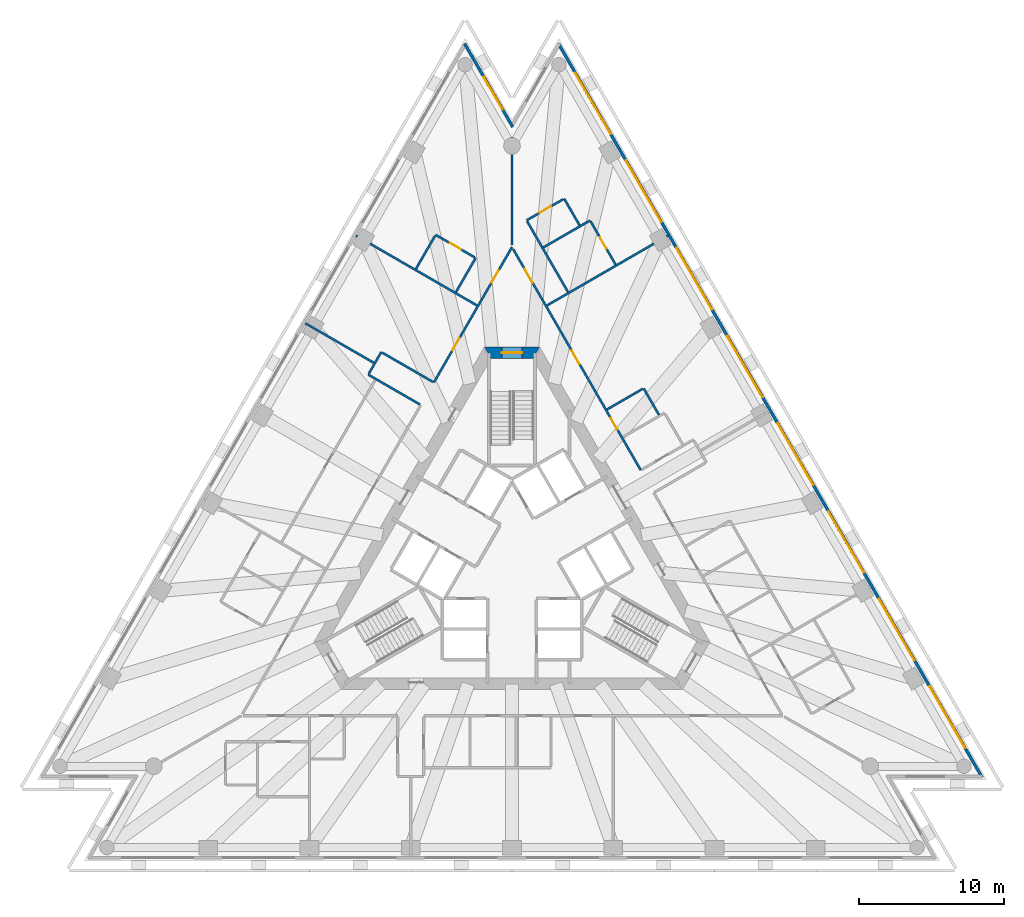
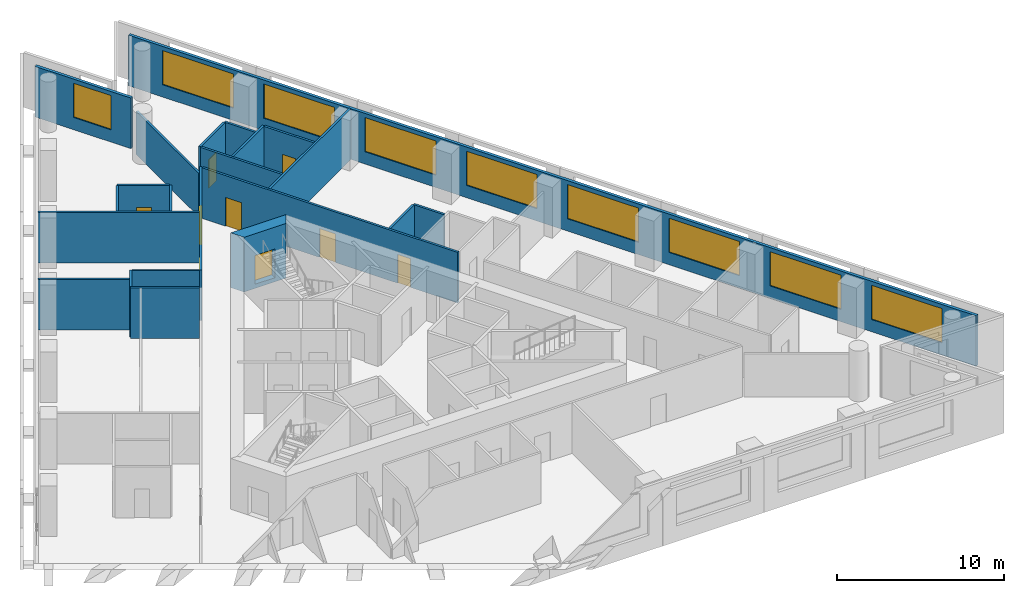
# One storey, part 7 of 10: 22 walls, 9 doors, 9 windows, 18 openings.
"""IFC4 building model written with IfcOpenShell, lengths in metres."""

import ifcopenshell
import ifcopenshell.guid

model = None  # the IFC model being written
_history = None  # IfcOwnerHistory: only IFC2X3 demands one
_inside = {}  # id of a spatial element -> (the spatial element, [elements in it])
_under = {}  # id of a project, library or spatial element -> (it, [spatial elements below it])
_declared = {}  # id of a project -> (the project, [libraries it declares])
_typed = {}  # id of a type object -> (the type object, [elements of that type])
_made_of = {}  # id of a material, layer set ... -> (it, [elements and type objects made of it])


def new_model(schema):
    """Start an empty IFC model of exactly this schema.

    Asked for "IFC4X3", IfcOpenShell would pick the latest addendum, in which some entities
    have other attributes; the version numbers below select the first issue.
    IFC2X3 requires an IfcOwnerHistory on every rooted entity: one is made here for all.
    """
    global model, _history
    if schema == "IFC4X3":
        model = ifcopenshell.file(schema_version=(4, 3, 0, 0))
    else:
        model = ifcopenshell.file(schema=schema)
    _inside.clear()
    _under.clear()
    _declared.clear()
    _typed.clear()
    _made_of.clear()
    _history = None
    if model.schema == "IFC2X3":
        org = make("IfcOrganization", Name="unknown")
        user = make(
            "IfcPersonAndOrganization",
            ThePerson=make("IfcPerson", FamilyName="unknown"),
            TheOrganization=org,
        )
        app = make(
            "IfcApplication",
            ApplicationDeveloper=org,
            Version="unknown",
            ApplicationFullName="unknown",
            ApplicationIdentifier="unknown",
        )
        _history = make(
            "IfcOwnerHistory",
            OwningUser=user,
            OwningApplication=app,
            ChangeAction="ADDED",
            CreationDate=0,
        )
    return model


def make(cls, **values):
    """One entity of the class cls with the attributes given. An attribute that is None is left unset."""
    return model.create_entity(
        cls, **{name: value for name, value in values.items() if value is not None}
    )


def rooted(cls, **values):
    """An entity with a GlobalId (a new one), such as an element, a storey or a relation."""
    return make(cls, GlobalId=ifcopenshell.guid.new(), OwnerHistory=_history, **values)


def si_unit(unit_type, name, prefix=None):
    """IfcSIUnit, for example si_unit("LENGTHUNIT", "METRE", prefix="MILLI")."""
    return make("IfcSIUnit", UnitType=unit_type, Prefix=prefix, Name=name)


def assignment(units):
    """IfcUnitAssignment: the units of a project."""
    return None if units is None else make("IfcUnitAssignment", Units=units)


def point(xyz):
    """IfcCartesianPoint."""
    return None if xyz is None else make("IfcCartesianPoint", Coordinates=xyz)


def direction(xyz):
    """IfcDirection."""
    return None if xyz is None else make("IfcDirection", DirectionRatios=xyz)


def frame(location, z_axis=None, x_axis=None):
    """IfcAxis2Placement3D, a coordinate frame: its origin and axes. An axis left out is left unset."""
    return make(
        "IfcAxis2Placement3D",
        Location=point(location),
        Axis=direction(z_axis),
        RefDirection=direction(x_axis),
    )


def frame_2d(location, x_axis=None):
    """IfcAxis2Placement2D, a coordinate frame in the plane: its origin and x axis."""
    return make(
        "IfcAxis2Placement2D", Location=point(location), RefDirection=direction(x_axis)
    )


def origin():
    """The frame at (0, 0, 0) with its axes left unset."""
    return frame((0.0, 0.0, 0.0))


def place(relative_to, where):
    """IfcLocalPlacement: puts the frame where relative to a parent placement (None: the world)."""
    return make(
        "IfcLocalPlacement", PlacementRelTo=relative_to, RelativePlacement=where
    )


def context(
    kind, dimensions, precision=None, world=None, true_north=None, identifier=None
):
    """IfcGeometricRepresentationContext, for example the 3D "Model" context."""
    return make(
        "IfcGeometricRepresentationContext",
        ContextIdentifier=identifier,
        ContextType=kind,
        CoordinateSpaceDimension=dimensions,
        Precision=precision,
        WorldCoordinateSystem=world,
        TrueNorth=true_north,
    )


def subcontext(parent, identifier, kind, view, scale=None):
    """IfcGeometricRepresentationSubContext, for example "Body" below "Model"."""
    return make(
        "IfcGeometricRepresentationSubContext",
        ContextIdentifier=identifier,
        ContextType=kind,
        ParentContext=parent,
        TargetScale=scale,
        TargetView=view,
    )


def project(units=None, contexts=None):
    """IfcProject with its units and contexts."""
    return rooted(
        "IfcProject",
        Name="project",
        RepresentationContexts=contexts,
        UnitsInContext=assignment(units),
    )


def spatial(cls, under=None, at=None, **own):
    """A site, building, storey or space (cls), placed at a placement, below another one or the project."""
    s = rooted(cls, ObjectPlacement=at, **own)
    if under is not None:
        _under.setdefault(under.id(), (under, []))[1].append(s)
    return s


def polyline(points):
    """IfcPolyline through the points."""
    return make("IfcPolyline", Points=[point(p) for p in points])


def profile(cls, at=None, kind="AREA", **sizes):
    """A parametric profile (cls). Its sizes go by their IFC names, for example OverallWidth=200.0."""
    return make(cls, ProfileType=kind, Position=at, **sizes)


def rectangle(**sizes):
    """IfcRectangleProfileDef."""
    return profile("IfcRectangleProfileDef", **sizes)


def outline(outer, holes=None, kind="AREA"):
    """IfcArbitraryClosedProfileDef: a profile drawn as a closed curve; with holes, ...WithVoids."""
    if holes is None:
        return make("IfcArbitraryClosedProfileDef", ProfileType=kind, OuterCurve=outer)
    return make(
        "IfcArbitraryProfileDefWithVoids",
        ProfileType=kind,
        OuterCurve=outer,
        InnerCurves=holes,
    )


def extrude(swept, where, along, depth):
    """IfcExtrudedAreaSolid: the profile swept, set in the frame where, extruded along a direction by depth."""
    return make(
        "IfcExtrudedAreaSolid",
        SweptArea=swept,
        Position=where,
        ExtrudedDirection=direction(along),
        Depth=depth,
    )


def shape(context_of_items, identifier, shape_type, items):
    """IfcShapeRepresentation: the items that make up one representation, for example the "Body"."""
    return make(
        "IfcShapeRepresentation",
        ContextOfItems=context_of_items,
        RepresentationIdentifier=identifier,
        RepresentationType=shape_type,
        Items=items,
    )


def material(Name=None, Category=None):
    """IfcMaterial."""
    return make("IfcMaterial", Name=Name, Category=Category)


def layer(
    of_material, thickness, ventilated=None, Name=None, Category=None, Priority=None
):
    """IfcMaterialLayer: one layer of a wall or slab, of a material (None: an air gap)."""
    return make(
        "IfcMaterialLayer",
        Material=of_material,
        LayerThickness=thickness,
        IsVentilated=ventilated,
        Name=Name,
        Category=Category,
        Priority=Priority,
    )


def layer_set(layers, Name=None):
    """IfcMaterialLayerSet."""
    return make("IfcMaterialLayerSet", MaterialLayers=layers, LayerSetName=Name)


def layer_usage(for_layer_set, set_direction, sense, offset, extent=None):
    """IfcMaterialLayerSetUsage: how a layer set lies in its element."""
    return make(
        "IfcMaterialLayerSetUsage",
        ForLayerSet=for_layer_set,
        LayerSetDirection=set_direction,
        DirectionSense=sense,
        OffsetFromReferenceLine=offset,
        ReferenceExtent=extent,
    )


def made_of(thing, what):
    """Note that an element or type object is made of a material, layer set ...; save() writes the relation."""
    if what is not None:
        _made_of.setdefault(what.id(), (what, []))[1].append(thing)
    return thing


def type_object(cls, material=None, **own):
    """A type object (cls), such as IfcWallType, which elements share."""
    return made_of(rooted(cls, **own), material)


def element(
    cls,
    number,
    at=None,
    inside=None,
    cuts=None,
    type_object=None,
    material=None,
    context=None,
    identifier="Body",
    shape_type=None,
    held_by="IfcProductDefinitionShape",
    body=None,
    shapes=None,
    **own,
):
    """One element of the class cls, such as IfcWall. Its Tag is "e" and its number.

    at: its placement. inside: the storey or other place that contains it. cuts: it is an
    opening in that element (IfcRelVoidsElement). A single representation is given by context,
    identifier, shape_type and body (its items); several are given by shapes. held_by: the class
    of the entity that holds the representations. save() writes the other relations.
    """
    e = rooted(cls, Tag="e%d" % number, ObjectPlacement=at, **own)
    if body is not None:
        shapes = [shape(context, identifier, shape_type, body)]
    if shapes is not None:
        e.Representation = make(held_by, Representations=shapes)
    if inside is not None:
        _inside.setdefault(inside.id(), (inside, []))[1].append(e)
    if cuts is not None:
        rooted(
            "IfcRelVoidsElement", RelatingBuildingElement=cuts, RelatedOpeningElement=e
        )
    if type_object is not None:
        _typed.setdefault(type_object.id(), (type_object, []))[1].append(e)
    return made_of(e, material)


def fill(opening, filler):
    """IfcRelFillsElement: the door or window that sits in an opening."""
    return rooted(
        "IfcRelFillsElement",
        RelatingOpeningElement=opening,
        RelatedBuildingElement=filler,
    )


def aggregate(whole, parts):
    """IfcRelAggregates: a whole, such as a stair, and the parts it consists of."""
    return rooted("IfcRelAggregates", RelatingObject=whole, RelatedObjects=parts)


def save(model, path):
    """Write the relations noted so far, then the file.

    IfcRelAggregates (storeys below a building ...), IfcRelContainedInSpatialStructure (elements
    in a storey), IfcRelDefinesByType, IfcRelAssociatesMaterial and IfcRelDeclares: one each for
    every whole, place, type object, material and project.
    """
    for whole, parts in _under.values():
        aggregate(whole, parts)
    for where, things in _inside.values():
        rooted(
            "IfcRelContainedInSpatialStructure",
            RelatedElements=things,
            RelatingStructure=where,
        )
    for kind, things in _typed.values():
        rooted("IfcRelDefinesByType", RelatedObjects=things, RelatingType=kind)
    for what, things in _made_of.values():
        rooted("IfcRelAssociatesMaterial", RelatedObjects=things, RelatingMaterial=what)
    for by, libraries in _declared.values():
        rooted("IfcRelDeclares", RelatingContext=by, RelatedDefinitions=libraries)
    model.write(path)


model = new_model("IFC4")

# Units and contexts
model_context = context("Model", 3, precision=1e-05, world=origin(), true_north=direction((0.0, 1.0)))
body_context = subcontext(model_context, "Body", "Model", "MODEL_VIEW")
ifc_project = project(units=[si_unit("LENGTHUNIT", "METRE"), si_unit("AREAUNIT", "SQUARE_METRE"), si_unit("VOLUMEUNIT", "CUBIC_METRE"), si_unit("PLANEANGLEUNIT", "RADIAN"), si_unit("MASSUNIT", "GRAM", prefix="KILO")], contexts=[model_context])

# Site, building, storey
site_placement = place(None, origin())
site = spatial("IfcSite", under=ifc_project, at=site_placement, CompositionType="ELEMENT")
building_placement = place(site_placement, origin())
building = spatial("IfcBuilding", under=site, at=building_placement, Name="Triada Interchange Tower", CompositionType="ELEMENT")
storey_placement = place(building_placement, frame((0.0, 0.0, 112.300048828125)))
storey = spatial("IfcBuildingStorey", under=building, at=storey_placement, Name="L25", CompositionType="ELEMENT", Elevation=112.300048828125)

# Wall, opening, door
ifc_material_1 = material(Name="Concrete C60/75", Category="concrete")
ifc_layer_1 = layer(ifc_material_1, 0.800048828125)
ifc_layer_set_1 = layer_set([ifc_layer_1], Name="Core wall B 800")
wall_type_1 = type_object("IfcWallType", Name="Core wall B 800", PredefinedType="SHEAR", material=ifc_layer_set_1)
wall_1_placement = place(storey_placement, frame((1.674072265625, 14.300048828125, -0.300048828125), z_axis=(0.0, 0.0, 1.0), x_axis=(-1.0, 0.0, 0.0)))
wall_1 = element("IfcWall", 1, at=wall_1_placement, inside=storey, type_object=wall_type_1, Name="Core wall WB01 L25", PredefinedType="SHEAR", context=body_context, shape_type="SweptSolid", body=[
    extrude(outline(polyline([(-0.23095703125, -0.39990234375), (1.674072265625, -0.39990234375), (3.5791015625, -0.39990234375), (3.116943359375, 0.39990234375), (1.673828125, 0.39990234375), (0.23095703125, 0.39990234375), (-0.23095703125, -0.39990234375)])), origin(), (0.0, 0.0, 1.0), 4.0),
])
opening_1_placement = place(wall_1_placement, frame((0.97412109375, 0.0, 0.300048828125)))
opening_1 = element("IfcOpeningElement", 2, at=opening_1_placement, cuts=wall_1, Name="Opening D23-43", PredefinedType="OPENING", context=body_context, shape_type="SweptSolid", body=[
    extrude(rectangle(XDim=1.39990234375, YDim=2.10009765625, at=frame_2d((0.699951171875, 1.050048828125))), frame((0.0, 0.409912109375, 0.0), z_axis=(0.0, -1.0, 0.0), x_axis=(1.0, 0.0, 0.0)), (0.0, 0.0, 1.0), 0.820068359375),
])
ifc_material_2 = material(Name="Steel S235 door leaf", Category="steel")
door_type_1 = type_object("IfcDoorType", Name="STAIR DOOR 1400 EI2 90-C5S200", OperationType="DOUBLE_DOOR_SINGLE_SWING", PredefinedType="DOOR", material=ifc_material_2)
door_1_placement = place(opening_1_placement, origin())
door_1 = element("IfcDoor", 3, at=door_1_placement, inside=storey, type_object=door_type_1, Name="Door D23-43 L25", OperationType="DOUBLE_DOOR_SINGLE_SWING", OverallHeight=2.10009765625, OverallWidth=1.39990234375, PredefinedType="DOOR", context=body_context, shape_type="SweptSolid", body=[
    extrude(rectangle(XDim=1.39990234375, YDim=2.10009765625, at=frame_2d((0.699951171875, 1.050048828125))), frame((0.0, 0.02490234375, 0.0), z_axis=(0.0, -1.0, 0.0), x_axis=(1.0, 0.0, 0.0)), (0.0, 0.0, 1.0), 0.050048828125),
])
fill(opening_1, door_1)

# Wall, openings, windows
ifc_material_3 = material(Name="Cement board")
ifc_layer_2 = layer(ifc_material_3, 0.02001953125, Name="Cement board cladding")
ifc_material_4 = material(Name="Sheathing board")
ifc_layer_3 = layer(ifc_material_4, 0.014892578125, Name="Sheathing board")
ifc_material_5 = material(Name="Mineral wool")
ifc_layer_4 = layer(ifc_material_5, 0.14990234375, Name="Mineral wool between steel studs")
ifc_material_6 = material(Name="Gypsum board")
ifc_layer_5 = layer(ifc_material_6, 0.014892578125, Name="Plasterboard lining")
ifc_layer_set_2 = layer_set([ifc_layer_2, ifc_layer_3, ifc_layer_4, ifc_layer_5], Name="External wall 200")
ifc_layer_usage = layer_usage(ifc_layer_set_2, "AXIS2", "POSITIVE", -0.10009765625)
wall_type_2 = type_object("IfcWallType", Name="External wall 200", PredefinedType="ELEMENTEDWALL", material=ifc_layer_set_2)
wall_2_placement = place(storey_placement, frame((32.510009765625, -15.073974609375, 0.0), z_axis=(0.0, 0.0, 1.0), x_axis=(-0.500008323105, 0.866020598384, 0.0)))
wall_2 = element("IfcWall", 4, at=wall_2_placement, inside=storey, type_object=wall_type_2, material=ifc_layer_usage, Name="External wall L25 NE", PredefinedType="ELEMENTEDWALL", context=body_context, shape_type="SweptSolid", body=[
    extrude(rectangle(XDim=58.59912109375, YDim=0.199951171875, at=frame_2d((29.299560546875, 0.0))), origin(), (0.0, 0.0, 1.0), 3.699951171875),
])
opening_2_placement = place(wall_2_placement, frame((2.35400390625, 0.0, 0.89990234375)))
opening_2 = element("IfcOpeningElement", 5, at=opening_2_placement, cuts=wall_2, Name="Opening WB21", PredefinedType="OPENING", context=body_context, shape_type="SweptSolid", body=[
    extrude(rectangle(XDim=4.89990234375, YDim=2.5, at=frame_2d((2.449951171875, 1.25))), frame((0.0, 0.10986328125, 0.0), z_axis=(0.0, -1.0, 0.0), x_axis=(1.0, 0.0, 0.0)), (0.0, 0.0, 1.0), 0.219970703125),
])
opening_3_placement = place(wall_2_placement, frame((9.35498046875, 0.0, 0.89990234375)))
opening_3 = element("IfcOpeningElement", 6, at=opening_3_placement, cuts=wall_2, Name="Opening WB22", PredefinedType="OPENING", context=body_context, shape_type="SweptSolid", body=[
    extrude(rectangle(XDim=4.89990234375, YDim=2.5, at=frame_2d((2.449951171875, 1.25))), frame((0.0, 0.10986328125, 0.0), z_axis=(0.0, -1.0, 0.0), x_axis=(1.0, 0.0, 0.0)), (0.0, 0.0, 1.0), 0.219970703125),
])
opening_4_placement = place(wall_2_placement, frame((16.35693359375, 0.0, 0.89990234375)))
opening_4 = element("IfcOpeningElement", 7, at=opening_4_placement, cuts=wall_2, Name="Opening WB23", PredefinedType="OPENING", context=body_context, shape_type="SweptSolid", body=[
    extrude(rectangle(XDim=4.89990234375, YDim=2.5, at=frame_2d((2.449951171875, 1.25))), frame((0.0, 0.10986328125, 0.0), z_axis=(0.0, -1.0, 0.0), x_axis=(1.0, 0.0, 0.0)), (0.0, 0.0, 1.0), 0.219970703125),
])
opening_5_placement = place(wall_2_placement, frame((23.35888671875, 0.0, 0.89990234375)))
opening_5 = element("IfcOpeningElement", 8, at=opening_5_placement, cuts=wall_2, Name="Opening WB24", PredefinedType="OPENING", context=body_context, shape_type="SweptSolid", body=[
    extrude(rectangle(XDim=4.89990234375, YDim=2.5, at=frame_2d((2.449951171875, 1.25))), frame((0.0, 0.10986328125, 0.0), z_axis=(0.0, -1.0, 0.0), x_axis=(1.0, 0.0, 0.0)), (0.0, 0.0, 1.0), 0.219970703125),
])
opening_6_placement = place(wall_2_placement, frame((30.360107421875, 0.0, 0.89990234375)))
opening_6 = element("IfcOpeningElement", 9, at=opening_6_placement, cuts=wall_2, Name="Opening WB25", PredefinedType="OPENING", context=body_context, shape_type="SweptSolid", body=[
    extrude(rectangle(XDim=4.89990234375, YDim=2.5, at=frame_2d((2.449951171875, 1.25))), frame((0.0, 0.10986328125, 0.0), z_axis=(0.0, -1.0, 0.0), x_axis=(1.0, 0.0, 0.0)), (0.0, 0.0, 1.0), 0.219970703125),
])
opening_7_placement = place(wall_2_placement, frame((37.362060546875, 0.0, 0.89990234375)))
opening_7 = element("IfcOpeningElement", 10, at=opening_7_placement, cuts=wall_2, Name="Opening WB26", PredefinedType="OPENING", context=body_context, shape_type="SweptSolid", body=[
    extrude(rectangle(XDim=4.89990234375, YDim=2.5, at=frame_2d((2.449951171875, 1.25))), frame((0.0, 0.10986328125, 0.0), z_axis=(0.0, -1.0, 0.0), x_axis=(1.0, 0.0, 0.0)), (0.0, 0.0, 1.0), 0.219970703125),
])
opening_8_placement = place(wall_2_placement, frame((44.364013671875, 0.0, 0.89990234375)))
opening_8 = element("IfcOpeningElement", 11, at=opening_8_placement, cuts=wall_2, Name="Opening WB27", PredefinedType="OPENING", context=body_context, shape_type="SweptSolid", body=[
    extrude(rectangle(XDim=4.89990234375, YDim=2.5, at=frame_2d((2.449951171875, 1.25))), frame((0.0, 0.10986328125, 0.0), z_axis=(0.0, -1.0, 0.0), x_axis=(1.0, 0.0, 0.0)), (0.0, 0.0, 1.0), 0.219970703125),
])
opening_9_placement = place(wall_2_placement, frame((51.364990234375, 0.0, 0.89990234375)))
opening_9 = element("IfcOpeningElement", 12, at=opening_9_placement, cuts=wall_2, Name="Opening WB28", PredefinedType="OPENING", context=body_context, shape_type="SweptSolid", body=[
    extrude(rectangle(XDim=4.89990234375, YDim=2.5, at=frame_2d((2.449951171875, 1.25))), frame((0.0, 0.10986328125, 0.0), z_axis=(0.0, -1.0, 0.0), x_axis=(1.0, 0.0, 0.0)), (0.0, 0.0, 1.0), 0.219970703125),
])
ifc_material_7 = material(Name="Double glazed aluminium window", Category="aluminium")
window_type_1 = type_object("IfcWindowType", Name="Ribbon window B face", PartitioningType="SINGLE_PANEL", PredefinedType="WINDOW", material=ifc_material_7)
window_1_placement = place(opening_2_placement, origin())
window_1 = element("IfcWindow", 13, at=window_1_placement, inside=storey, type_object=window_type_1, Name="Window L25 NE 1", OverallHeight=2.5, OverallWidth=4.89990234375, PartitioningType="SINGLE_PANEL", PredefinedType="WINDOW", context=body_context, shape_type="SweptSolid", body=[
    extrude(rectangle(XDim=4.89990234375, YDim=2.5, at=frame_2d((2.449951171875, 1.25))), frame((0.0, 0.030029296875, 0.0), z_axis=(0.0, -1.0, 0.0), x_axis=(1.0, 0.0, 0.0)), (0.0, 0.0, 1.0), 0.06005859375),
])
fill(opening_2, window_1)
window_2_placement = place(opening_3_placement, origin())
window_2 = element("IfcWindow", 14, at=window_2_placement, inside=storey, type_object=window_type_1, Name="Window L25 NE 2", OverallHeight=2.5, OverallWidth=4.89990234375, PartitioningType="SINGLE_PANEL", PredefinedType="WINDOW", context=body_context, shape_type="SweptSolid", body=[
    extrude(rectangle(XDim=4.89990234375, YDim=2.5, at=frame_2d((2.449951171875, 1.25))), frame((0.0, 0.030029296875, 0.0), z_axis=(0.0, -1.0, 0.0), x_axis=(1.0, 0.0, 0.0)), (0.0, 0.0, 1.0), 0.06005859375),
])
fill(opening_3, window_2)
window_3_placement = place(opening_4_placement, origin())
window_3 = element("IfcWindow", 15, at=window_3_placement, inside=storey, type_object=window_type_1, Name="Window L25 NE 3", OverallHeight=2.5, OverallWidth=4.89990234375, PartitioningType="SINGLE_PANEL", PredefinedType="WINDOW", context=body_context, shape_type="SweptSolid", body=[
    extrude(rectangle(XDim=4.89990234375, YDim=2.5, at=frame_2d((2.449951171875, 1.25))), frame((0.0, 0.030029296875, 0.0), z_axis=(0.0, -1.0, 0.0), x_axis=(1.0, 0.0, 0.0)), (0.0, 0.0, 1.0), 0.06005859375),
])
fill(opening_4, window_3)
window_4_placement = place(opening_5_placement, origin())
window_4 = element("IfcWindow", 16, at=window_4_placement, inside=storey, type_object=window_type_1, Name="Window L25 NE 4", OverallHeight=2.5, OverallWidth=4.89990234375, PartitioningType="SINGLE_PANEL", PredefinedType="WINDOW", context=body_context, shape_type="SweptSolid", body=[
    extrude(rectangle(XDim=4.89990234375, YDim=2.5, at=frame_2d((2.449951171875, 1.25))), frame((0.0, 0.030029296875, 0.0), z_axis=(0.0, -1.0, 0.0), x_axis=(1.0, 0.0, 0.0)), (0.0, 0.0, 1.0), 0.06005859375),
])
fill(opening_5, window_4)
window_5_placement = place(opening_6_placement, origin())
window_5 = element("IfcWindow", 17, at=window_5_placement, inside=storey, type_object=window_type_1, Name="Window L25 NE 5", OverallHeight=2.5, OverallWidth=4.89990234375, PartitioningType="SINGLE_PANEL", PredefinedType="WINDOW", context=body_context, shape_type="SweptSolid", body=[
    extrude(rectangle(XDim=4.89990234375, YDim=2.5, at=frame_2d((2.449951171875, 1.25))), frame((0.0, 0.030029296875, 0.0), z_axis=(0.0, -1.0, 0.0), x_axis=(1.0, 0.0, 0.0)), (0.0, 0.0, 1.0), 0.06005859375),
])
fill(opening_6, window_5)
window_6_placement = place(opening_7_placement, origin())
window_6 = element("IfcWindow", 18, at=window_6_placement, inside=storey, type_object=window_type_1, Name="Window L25 NE 6", OverallHeight=2.5, OverallWidth=4.89990234375, PartitioningType="SINGLE_PANEL", PredefinedType="WINDOW", context=body_context, shape_type="SweptSolid", body=[
    extrude(rectangle(XDim=4.89990234375, YDim=2.5, at=frame_2d((2.449951171875, 1.25))), frame((0.0, 0.030029296875, 0.0), z_axis=(0.0, -1.0, 0.0), x_axis=(1.0, 0.0, 0.0)), (0.0, 0.0, 1.0), 0.06005859375),
])
fill(opening_7, window_6)
window_7_placement = place(opening_8_placement, origin())
window_7 = element("IfcWindow", 19, at=window_7_placement, inside=storey, type_object=window_type_1, Name="Window L25 NE 7", OverallHeight=2.5, OverallWidth=4.89990234375, PartitioningType="SINGLE_PANEL", PredefinedType="WINDOW", context=body_context, shape_type="SweptSolid", body=[
    extrude(rectangle(XDim=4.89990234375, YDim=2.5, at=frame_2d((2.449951171875, 1.25))), frame((0.0, 0.030029296875, 0.0), z_axis=(0.0, -1.0, 0.0), x_axis=(1.0, 0.0, 0.0)), (0.0, 0.0, 1.0), 0.06005859375),
])
fill(opening_8, window_7)
window_8_placement = place(opening_9_placement, origin())
window_8 = element("IfcWindow", 20, at=window_8_placement, inside=storey, type_object=window_type_1, Name="Window L25 NE 8", OverallHeight=2.5, OverallWidth=4.89990234375, PartitioningType="SINGLE_PANEL", PredefinedType="WINDOW", context=body_context, shape_type="SweptSolid", body=[
    extrude(rectangle(XDim=4.89990234375, YDim=2.5, at=frame_2d((2.449951171875, 1.25))), frame((0.0, 0.030029296875, 0.0), z_axis=(0.0, -1.0, 0.0), x_axis=(1.0, 0.0, 0.0)), (0.0, 0.0, 1.0), 0.06005859375),
])
fill(opening_9, window_8)

# Wall, opening, window
wall_3_placement = place(storey_placement, frame((0.044921875, 29.9150390625, 0.0), z_axis=(0.0, 0.0, 1.0), x_axis=(-0.49999681972, 0.866027239912, 0.0)))
wall_3 = element("IfcWall", 21, at=wall_3_placement, inside=storey, type_object=wall_type_2, material=ifc_layer_usage, Name="External wall L25 N-2", PredefinedType="ELEMENTEDWALL", context=body_context, shape_type="SweptSolid", body=[
    extrude(rectangle(XDim=6.64990234375, YDim=0.199951171875, at=frame_2d((3.324951171875, 0.0))), origin(), (0.0, 0.0, 1.0), 3.699951171875),
])
opening_10_placement = place(wall_3_placement, frame((1.389892578125, 0.0, 0.89990234375)))
opening_10 = element("IfcOpeningElement", 22, at=opening_10_placement, cuts=wall_3, Name="Opening WB30", PredefinedType="OPENING", context=body_context, shape_type="SweptSolid", body=[
    extrude(rectangle(XDim=2.60009765625, YDim=2.5, at=frame_2d((1.300048828125, 1.25))), frame((0.0, 0.10986328125, 0.0), z_axis=(0.0, -1.0, 0.0), x_axis=(1.0, 0.0, 0.0)), (0.0, 0.0, 1.0), 0.219970703125),
])
window_type_2 = type_object("IfcWindowType", Name="Ribbon window B pocket", PartitioningType="SINGLE_PANEL", PredefinedType="WINDOW", material=ifc_material_7)
window_9_placement = place(opening_10_placement, origin())
window_9 = element("IfcWindow", 23, at=window_9_placement, inside=storey, type_object=window_type_2, Name="Window L25 N-2 1", OverallHeight=2.5, OverallWidth=2.60009765625, PartitioningType="SINGLE_PANEL", PredefinedType="WINDOW", context=body_context, shape_type="SweptSolid", body=[
    extrude(rectangle(XDim=2.60009765625, YDim=2.5, at=frame_2d((1.300048828125, 1.25))), frame((0.0, 0.030029296875, 0.0), z_axis=(0.0, -1.0, 0.0), x_axis=(1.0, 0.0, 0.0)), (0.0, 0.0, 1.0), 0.06005859375),
])
fill(opening_10, window_9)

# Wall, openings, doors
ifc_material_8 = material(Name="Gypsum board partition")
ifc_layer_6 = layer(ifc_material_8, 0.14990234375)
ifc_layer_set_3 = layer_set([ifc_layer_6], Name="PARTITION 150 EI 180")
wall_type_3 = type_object("IfcWallType", Name="PARTITION 150 EI 180", PredefinedType="PARTITIONING", material=ifc_layer_set_3)
wall_4_placement = place(storey_placement, frame((-5.402099609375, 12.243896484375, 0.0), z_axis=(0.0, 0.0, 1.0), x_axis=(0.500020433321, 0.86601360628, 0.0)))
wall_4 = element("IfcWall", 24, at=wall_4_placement, inside=storey, type_object=wall_type_3, Name="Wall L23 7", PredefinedType="PARTITIONING", context=body_context, shape_type="SweptSolid", body=[
    extrude(rectangle(XDim=10.8037109375, YDim=0.14990234375, at=frame_2d((5.40185546875, 0.0))), origin(), (0.0, 0.0, 1.0), 3.699951171875),
])
opening_11_placement = place(wall_4_placement, frame((7.9541015625, 0.0, 0.0)))
opening_11 = element("IfcOpeningElement", 25, at=opening_11_placement, cuts=wall_4, Name="Opening D23-34", PredefinedType="OPENING", context=body_context, shape_type="SweptSolid", body=[
    extrude(rectangle(XDim=1.0, YDim=2.10009765625, at=frame_2d((0.5, 1.050048828125))), frame((0.0, 0.0849609375, 0.0), z_axis=(0.0, -1.0, 0.0), x_axis=(1.0, 0.0, 0.0)), (0.0, 0.0, 1.0), 0.169921875),
])
opening_12_placement = place(wall_4_placement, frame((2.551025390625, 0.0, 0.0)))
opening_12 = element("IfcOpeningElement", 26, at=opening_12_placement, cuts=wall_4, Name="Opening D23-36", PredefinedType="OPENING", context=body_context, shape_type="SweptSolid", body=[
    extrude(rectangle(XDim=1.0, YDim=2.10009765625, at=frame_2d((0.5, 1.050048828125))), frame((0.0, 0.0849609375, 0.0), z_axis=(0.0, -1.0, 0.0), x_axis=(1.0, 0.0, 0.0)), (0.0, 0.0, 1.0), 0.169921875),
])
door_type_2 = type_object("IfcDoorType", Name="ROOM DOOR 1000 EI2 90-C5S200", OperationType="NOTDEFINED", PredefinedType="DOOR", material=ifc_material_2)
door_2_placement = place(opening_11_placement, origin())
door_2 = element("IfcDoor", 27, at=door_2_placement, inside=storey, type_object=door_type_2, Name="Door D23-34 L25", OperationType="SINGLE_SWING_RIGHT", OverallHeight=2.10009765625, OverallWidth=1.0, PredefinedType="DOOR", context=body_context, shape_type="SweptSolid", body=[
    extrude(rectangle(XDim=1.0, YDim=2.10009765625, at=frame_2d((0.5, 1.050048828125))), frame((0.0, 0.02490234375, 0.0), z_axis=(0.0, -1.0, 0.0), x_axis=(1.0, 0.0, 0.0)), (0.0, 0.0, 1.0), 0.050048828125),
])
fill(opening_11, door_2)
door_3_placement = place(opening_12_placement, origin())
door_3 = element("IfcDoor", 28, at=door_3_placement, inside=storey, type_object=door_type_2, Name="Door D23-36 L25", OperationType="SINGLE_SWING_LEFT", OverallHeight=2.10009765625, OverallWidth=1.0, PredefinedType="DOOR", context=body_context, shape_type="SweptSolid", body=[
    extrude(rectangle(XDim=1.0, YDim=2.10009765625, at=frame_2d((0.5, 1.050048828125))), frame((0.0, 0.02490234375, 0.0), z_axis=(0.0, -1.0, 0.0), x_axis=(1.0, 0.0, 0.0)), (0.0, 0.0, 1.0), 0.050048828125),
])
fill(opening_12, door_3)

# Walls
wall_5_placement = place(storey_placement, frame((-14.284912109375, 16.33203125, 0.0), z_axis=(0.0, 0.0, 1.0), x_axis=(0.86601735395, -0.500013942463, 0.0)))
element("IfcWall", 29, at=wall_5_placement, inside=storey, type_object=wall_type_3, Name="Wall L23 8", PredefinedType="PARTITIONING", context=body_context, shape_type="SweptSolid", body=[
    extrude(rectangle(XDim=5.461669921875, YDim=0.14990234375, at=frame_2d((2.73095703125, 0.0))), origin(), (0.0, 0.0, 1.0), 3.699951171875),
])
wall_6_placement = place(storey_placement, frame((-9.93994140625, 12.783935546875, 0.0), z_axis=(0.0, 0.0, 1.0), x_axis=(0.866056461986, -0.499946201759, 0.0)))
element("IfcWall", 30, at=wall_6_placement, inside=storey, type_object=wall_type_3, Name="Wall L23 12", PredefinedType="PARTITIONING", context=body_context, shape_type="SweptSolid", body=[
    extrude(rectangle(XDim=4.12451171875, YDim=0.14990234375, at=frame_2d((2.062255859375, 0.0))), origin(), (0.0, 0.0, 1.0), 3.699951171875),
])
wall_7_placement = place(storey_placement, frame((-9.902099609375, 12.84912109375, 0.0), z_axis=(0.0, 0.0, 1.0), x_axis=(0.499808228569, 0.866136094765, 0.0)))
element("IfcWall", 31, at=wall_7_placement, inside=storey, type_object=wall_type_3, Name="Wall L23 13", PredefinedType="PARTITIONING", context=body_context, shape_type="SweptSolid", body=[
    extrude(rectangle(XDim=1.724853515625, YDim=0.14990234375, at=frame_2d((0.8623046875, 0.0))), origin(), (0.0, 0.0, 1.0), 3.699951171875),
])
wall_8_placement = place(storey_placement, frame((-10.783935546875, 22.39599609375, 0.0), z_axis=(0.0, 0.0, 1.0), x_axis=(0.86603284879, -0.49998710465, 0.0)))
element("IfcWall", 32, at=wall_8_placement, inside=storey, type_object=wall_type_3, Name="Wall L23 16", PredefinedType="PARTITIONING", context=body_context, shape_type="SweptSolid", body=[
    extrude(rectangle(XDim=9.662353515625, YDim=0.14990234375, at=frame_2d((4.8310546875, 0.0))), origin(), (0.0, 0.0, 1.0), 3.699951171875),
])
wall_9_placement = place(storey_placement, frame((-8.97509765625, 14.304931640625, 0.0), z_axis=(0.0, 0.0, 1.0), x_axis=(0.866120332886, -0.499835541916, 0.0)))
element("IfcWall", 33, at=wall_9_placement, inside=storey, type_object=wall_type_3, Name="Wall L23 17", PredefinedType="PARTITIONING", context=body_context, shape_type="SweptSolid", body=[
    extrude(rectangle(XDim=4.049072265625, YDim=0.14990234375, at=frame_2d((2.0244140625, 0.0))), origin(), (0.0, 0.0, 1.0), 3.699951171875),
])
wall_10_placement = place(storey_placement, frame((0.0, 21.75, 0.0), z_axis=(0.0, 0.0, 1.0), x_axis=(0.0, 1.0, 0.0)))
element("IfcWall", 34, at=wall_10_placement, inside=storey, type_object=wall_type_3, Name="Wall L23 22", PredefinedType="PARTITIONING", context=body_context, shape_type="SweptSolid", body=[
    extrude(rectangle(XDim=7.462890625, YDim=0.14990234375, at=frame_2d((3.7314453125, 0.0))), origin(), (0.0, 0.0, 1.0), 3.14990234375),
])

# Wall, openings, doors
wall_11_placement = place(storey_placement, frame((0.075927734375, 21.468017578125, 0.0), z_axis=(0.0, 0.0, 1.0), x_axis=(0.500024127084, -0.866011473558, 0.0)))
wall_11 = element("IfcWall", 35, at=wall_11_placement, inside=storey, type_object=wall_type_3, Name="Wall L23 23", PredefinedType="PARTITIONING", context=body_context, shape_type="SweptSolid", body=[
    extrude(rectangle(XDim=17.653564453125, YDim=0.14990234375, at=frame_2d((8.82666015625, 0.0))), origin(), (0.0, 0.0, 1.0), 3.699951171875),
])
opening_13_placement = place(wall_11_placement, frame((8.10400390625, 0.0, 0.0)))
opening_13 = element("IfcOpeningElement", 36, at=opening_13_placement, cuts=wall_11, Name="Opening D23-28", PredefinedType="OPENING", context=body_context, shape_type="SweptSolid", body=[
    extrude(rectangle(XDim=1.10009765625, YDim=2.10009765625, at=frame_2d((0.550048828125, 1.050048828125))), frame((0.0, 0.0849609375, 0.0), z_axis=(0.0, -1.0, 0.0), x_axis=(1.0, 0.0, 0.0)), (0.0, 0.0, 1.0), 0.169921875),
])
opening_14_placement = place(wall_11_placement, frame((13.50390625, 0.0, 0.0)))
opening_14 = element("IfcOpeningElement", 37, at=opening_14_placement, cuts=wall_11, Name="Opening D23-30", PredefinedType="OPENING", context=body_context, shape_type="SweptSolid", body=[
    extrude(rectangle(XDim=0.89990234375, YDim=2.10009765625, at=frame_2d((0.449951171875, 1.050048828125))), frame((0.0, 0.0849609375, 0.0), z_axis=(0.0, -1.0, 0.0), x_axis=(1.0, 0.0, 0.0)), (0.0, 0.0, 1.0), 0.169921875),
])
opening_15_placement = place(wall_11_placement, frame((1.60009765625, 0.0, 0.0)))
opening_15 = element("IfcOpeningElement", 38, at=opening_15_placement, cuts=wall_11, Name="Opening D23-31", PredefinedType="OPENING", context=body_context, shape_type="SweptSolid", body=[
    extrude(rectangle(XDim=1.10009765625, YDim=2.10009765625, at=frame_2d((0.550048828125, 1.050048828125))), frame((0.0, 0.0849609375, 0.0), z_axis=(0.0, -1.0, 0.0), x_axis=(1.0, 0.0, 0.0)), (0.0, 0.0, 1.0), 0.169921875),
])
door_type_3 = type_object("IfcDoorType", Name="SERVICE DOOR 900 EI2 90-C5S200", OperationType="NOTDEFINED", PredefinedType="DOOR", material=ifc_material_2)
door_4_placement = place(opening_14_placement, origin())
door_4 = element("IfcDoor", 39, at=door_4_placement, inside=storey, type_object=door_type_3, Name="Door D23-30 L25", OperationType="SINGLE_SWING_RIGHT", OverallHeight=2.10009765625, OverallWidth=0.89990234375, PredefinedType="DOOR", context=body_context, shape_type="SweptSolid", body=[
    extrude(rectangle(XDim=0.89990234375, YDim=2.10009765625, at=frame_2d((0.449951171875, 1.050048828125))), frame((0.0, 0.02490234375, 0.0), z_axis=(0.0, -1.0, 0.0), x_axis=(1.0, 0.0, 0.0)), (0.0, 0.0, 1.0), 0.050048828125),
])
fill(opening_14, door_4)
door_type_4 = type_object("IfcDoorType", Name="TENANCY ENTRANCE DOOR 1100 EI2 90-C5S200", OperationType="NOTDEFINED", PredefinedType="DOOR", material=ifc_material_2)
door_5_placement = place(opening_13_placement, origin())
door_5 = element("IfcDoor", 40, at=door_5_placement, inside=storey, type_object=door_type_4, Name="Door D23-28 L25", OperationType="SINGLE_SWING_RIGHT", OverallHeight=2.10009765625, OverallWidth=1.10009765625, PredefinedType="DOOR", context=body_context, shape_type="SweptSolid", body=[
    extrude(rectangle(XDim=1.10009765625, YDim=2.10009765625, at=frame_2d((0.550048828125, 1.050048828125))), frame((0.0, 0.02490234375, 0.0), z_axis=(0.0, -1.0, 0.0), x_axis=(1.0, 0.0, 0.0)), (0.0, 0.0, 1.0), 0.050048828125),
])
fill(opening_13, door_5)
door_6_placement = place(opening_15_placement, origin())
door_6 = element("IfcDoor", 41, at=door_6_placement, inside=storey, type_object=door_type_4, Name="Door D23-31 L25", OperationType="SINGLE_SWING_LEFT", OverallHeight=2.10009765625, OverallWidth=1.10009765625, PredefinedType="DOOR", context=body_context, shape_type="SweptSolid", body=[
    extrude(rectangle(XDim=1.10009765625, YDim=2.10009765625, at=frame_2d((0.550048828125, 1.050048828125))), frame((0.0, 0.02490234375, 0.0), z_axis=(0.0, -1.0, 0.0), x_axis=(1.0, 0.0, 0.0)), (0.0, 0.0, 1.0), 0.050048828125),
])
fill(opening_15, door_6)

# Walls
wall_12_placement = place(storey_placement, frame((2.416015625, 17.56494140625, 0.0), z_axis=(0.0, 0.0, 1.0), x_axis=(0.86603284879, 0.49998710465, 0.0)))
element("IfcWall", 42, at=wall_12_placement, inside=storey, type_object=wall_type_3, Name="Wall L23 27", PredefinedType="PARTITIONING", context=body_context, shape_type="SweptSolid", body=[
    extrude(rectangle(XDim=9.662353515625, YDim=0.14990234375, at=frame_2d((4.8310546875, 0.0))), origin(), (0.0, 0.0, 1.0), 3.699951171875),
])
wall_13_placement = place(storey_placement, frame((9.10107421875, 11.8359375, 0.0), z_axis=(0.0, 0.0, 1.0), x_axis=(0.500266112279, -0.865871709265, 0.0)))
element("IfcWall", 43, at=wall_13_placement, inside=storey, type_object=wall_type_3, Name="Wall L23 28", PredefinedType="PARTITIONING", context=body_context, shape_type="SweptSolid", body=[
    extrude(rectangle(XDim=2.124755859375, YDim=0.14990234375, at=frame_2d((1.0625, 0.0))), origin(), (0.0, 0.0, 1.0), 3.699951171875),
])
wall_14_placement = place(storey_placement, frame((6.568115234375, 10.3740234375, 0.0), z_axis=(0.0, 0.0, 1.0), x_axis=(0.865982980443, 0.500073472185, 0.0)))
element("IfcWall", 44, at=wall_14_placement, inside=storey, type_object=wall_type_3, Name="Wall L23 29", PredefinedType="PARTITIONING", context=body_context, shape_type="SweptSolid", body=[
    extrude(rectangle(XDim=2.849609375, YDim=0.14990234375, at=frame_2d((1.4248046875, 0.0))), origin(), (0.0, 0.0, 1.0), 3.699951171875),
])
ifc_layer_7 = layer(ifc_material_8, 0.14990234375)
ifc_layer_set_4 = layer_set([ifc_layer_7], Name="PARTITION 150 EI 90")
wall_type_4 = type_object("IfcWallType", Name="PARTITION 150 EI 90", PredefinedType="PARTITIONING", material=ifc_layer_set_4)
wall_15_placement = place(storey_placement, frame((-3.873046875, 18.491943359375, 0.0), z_axis=(0.0, 0.0, 1.0), x_axis=(0.500117899823, 0.865957323588, 0.0)))
element("IfcWall", 45, at=wall_15_placement, inside=storey, type_object=wall_type_4, Name="Wall L23 45", PredefinedType="PARTITIONING", context=body_context, shape_type="SweptSolid", body=[
    extrude(rectangle(XDim=2.725341796875, YDim=0.14990234375, at=frame_2d((1.36279296875, 0.0))), origin(), (0.0, 0.0, 1.0), 3.699951171875),
])

# Wall, opening, door
wall_16_placement = place(storey_placement, frame((-5.281005859375, 22.451904296875, 0.0), z_axis=(0.0, 0.0, 1.0), x_axis=(0.866071089505, -0.499920861661, 0.0)))
wall_16 = element("IfcWall", 46, at=wall_16_placement, inside=storey, type_object=wall_type_4, Name="Wall L23 53", PredefinedType="PARTITIONING", context=body_context, shape_type="SweptSolid", body=[
    extrude(rectangle(XDim=3.12451171875, YDim=0.14990234375, at=frame_2d((1.562255859375, 0.0))), origin(), (0.0, 0.0, 1.0), 3.699951171875),
])
opening_16_placement = place(wall_16_placement, frame((1.14892578125, 0.0, 0.0)))
opening_16 = element("IfcOpeningElement", 47, at=opening_16_placement, cuts=wall_16, Name="Opening D23-35", PredefinedType="OPENING", context=body_context, shape_type="SweptSolid", body=[
    extrude(rectangle(XDim=0.89990234375, YDim=2.10009765625, at=frame_2d((0.449951171875, 1.050048828125))), frame((0.0, 0.0849609375, 0.0), z_axis=(0.0, -1.0, 0.0), x_axis=(1.0, 0.0, 0.0)), (0.0, 0.0, 1.0), 0.169921875),
])
door_type_5 = type_object("IfcDoorType", Name="ROOM DOOR 900 EI2 45-C5S200", OperationType="NOTDEFINED", PredefinedType="DOOR", material=ifc_material_2)
door_7_placement = place(opening_16_placement, origin())
door_7 = element("IfcDoor", 48, at=door_7_placement, inside=storey, type_object=door_type_5, Name="Door D23-35 L25", OperationType="SINGLE_SWING_LEFT", OverallHeight=2.10009765625, OverallWidth=0.89990234375, PredefinedType="DOOR", context=body_context, shape_type="SweptSolid", body=[
    extrude(rectangle(XDim=0.89990234375, YDim=2.10009765625, at=frame_2d((0.449951171875, 1.050048828125))), frame((0.0, 0.02490234375, 0.0), z_axis=(0.0, -1.0, 0.0), x_axis=(1.0, 0.0, 0.0)), (0.0, 0.0, 1.0), 0.050048828125),
])
fill(opening_16, door_7)

# Walls
wall_17_placement = place(storey_placement, frame((-6.64404296875, 20.092041015625, 0.0), z_axis=(0.0, 0.0, 1.0), x_axis=(0.499993606316, 0.866029095148, 0.0)))
element("IfcWall", 49, at=wall_17_placement, inside=storey, type_object=wall_type_4, Name="Wall L23 54", PredefinedType="PARTITIONING", context=body_context, shape_type="SweptSolid", body=[
    extrude(rectangle(XDim=2.64990234375, YDim=0.14990234375, at=frame_2d((1.324951171875, 0.0))), origin(), (0.0, 0.0, 1.0), 3.699951171875),
])
wall_18_placement = place(storey_placement, frame((2.175048828125, 21.5830078125, 0.0), z_axis=(0.0, 0.0, 1.0), x_axis=(0.866068800491, 0.499924827166, 0.0)))
element("IfcWall", 50, at=wall_18_placement, inside=storey, type_object=wall_type_4, Name="Wall L23 55", PredefinedType="PARTITIONING", context=body_context, shape_type="SweptSolid", body=[
    extrude(rectangle(XDim=3.724609375, YDim=0.14990234375, at=frame_2d((1.8623046875, 0.0))), origin(), (0.0, 0.0, 1.0), 3.699951171875),
])
wall_19_placement = place(storey_placement, frame((3.60791015625, 24.949951171875, 0.0), z_axis=(0.0, 0.0, 1.0), x_axis=(0.500266112279, -0.865871709265, 0.0)))
element("IfcWall", 51, at=wall_19_placement, inside=storey, type_object=wall_type_4, Name="Wall L23 56", PredefinedType="PARTITIONING", context=body_context, shape_type="SweptSolid", body=[
    extrude(rectangle(XDim=2.124755859375, YDim=0.14990234375, at=frame_2d((1.0625, 0.0))), origin(), (0.0, 0.0, 1.0), 3.699951171875),
])

# Wall, opening, door
wall_20_placement = place(storey_placement, frame((1.010009765625, 23.449951171875, 0.0), z_axis=(0.0, 0.0, 1.0), x_axis=(0.865917290158, 0.500187211558, 0.0)))
wall_20 = element("IfcWall", 52, at=wall_20_placement, inside=storey, type_object=wall_type_4, Name="Wall L23 57", PredefinedType="PARTITIONING", context=body_context, shape_type="SweptSolid", body=[
    extrude(rectangle(XDim=2.92529296875, YDim=0.14990234375, at=frame_2d((1.462646484375, 0.0))), origin(), (0.0, 0.0, 1.0), 3.699951171875),
])
opening_17_placement = place(wall_20_placement, frame((1.050048828125, 0.0, 0.0)))
opening_17 = element("IfcOpeningElement", 53, at=opening_17_placement, cuts=wall_20, Name="Opening D23-33", PredefinedType="OPENING", context=body_context, shape_type="SweptSolid", body=[
    extrude(rectangle(XDim=0.89990234375, YDim=2.10009765625, at=frame_2d((0.449951171875, 1.050048828125))), frame((0.0, 0.0849609375, 0.0), z_axis=(0.0, -1.0, 0.0), x_axis=(1.0, 0.0, 0.0)), (0.0, 0.0, 1.0), 0.169921875),
])
door_type_6 = type_object("IfcDoorType", Name="SERVICE DOOR 900 EI2 45-C5S200", OperationType="NOTDEFINED", PredefinedType="DOOR", material=ifc_material_2)
door_8_placement = place(opening_17_placement, origin())
door_8 = element("IfcDoor", 54, at=door_8_placement, inside=storey, type_object=door_type_6, Name="Door D23-33 L25", OperationType="SINGLE_SWING_RIGHT", OverallHeight=2.10009765625, OverallWidth=0.89990234375, PredefinedType="DOOR", context=body_context, shape_type="SweptSolid", body=[
    extrude(rectangle(XDim=0.89990234375, YDim=2.10009765625, at=frame_2d((0.449951171875, 1.050048828125))), frame((0.0, 0.02490234375, 0.0), z_axis=(0.0, -1.0, 0.0), x_axis=(1.0, 0.0, 0.0)), (0.0, 0.0, 1.0), 0.050048828125),
])
fill(opening_17, door_8)

# Wall
wall_21_placement = place(storey_placement, frame((1.048095703125, 23.385009765625, 0.0), z_axis=(0.0, 0.0, 1.0), x_axis=(0.499991765245, -0.86603015807, 0.0)))
element("IfcWall", 55, at=wall_21_placement, inside=storey, type_object=wall_type_4, Name="Wall L23 58", PredefinedType="PARTITIONING", context=body_context, shape_type="SweptSolid", body=[
    extrude(rectangle(XDim=5.64990234375, YDim=0.14990234375, at=frame_2d((2.824951171875, 0.0))), origin(), (0.0, 0.0, 1.0), 3.699951171875),
])

# Wall, opening, door
wall_22_placement = place(storey_placement, frame((5.43896484375, 23.3798828125, 0.0), z_axis=(0.0, 0.0, 1.0), x_axis=(0.500020560727, -0.866013532718, 0.0)))
wall_22 = element("IfcWall", 56, at=wall_22_placement, inside=storey, type_object=wall_type_4, Name="Wall L23 60", PredefinedType="PARTITIONING", context=body_context, shape_type="SweptSolid", body=[
    extrude(rectangle(XDim=3.449951171875, YDim=0.14990234375, at=frame_2d((1.72509765625, 0.0))), origin(), (0.0, 0.0, 1.0), 3.699951171875),
])
opening_18_placement = place(wall_22_placement, frame((1.27490234375, 0.0, 0.0)))
opening_18 = element("IfcOpeningElement", 57, at=opening_18_placement, cuts=wall_22, Name="Opening D23-32", PredefinedType="OPENING", context=body_context, shape_type="SweptSolid", body=[
    extrude(rectangle(XDim=0.89990234375, YDim=2.10009765625, at=frame_2d((0.449951171875, 1.050048828125))), frame((0.0, 0.0849609375, 0.0), z_axis=(0.0, -1.0, 0.0), x_axis=(1.0, 0.0, 0.0)), (0.0, 0.0, 1.0), 0.169921875),
])
door_9_placement = place(opening_18_placement, origin())
door_9 = element("IfcDoor", 58, at=door_9_placement, inside=storey, type_object=door_type_5, Name="Door D23-32 L25", OperationType="SINGLE_SWING_LEFT", OverallHeight=2.10009765625, OverallWidth=0.89990234375, PredefinedType="DOOR", context=body_context, shape_type="SweptSolid", body=[
    extrude(rectangle(XDim=0.89990234375, YDim=2.10009765625, at=frame_2d((0.449951171875, 1.050048828125))), frame((0.0, 0.02490234375, 0.0), z_axis=(0.0, -1.0, 0.0), x_axis=(1.0, 0.0, 0.0)), (0.0, 0.0, 1.0), 0.050048828125),
])
fill(opening_18, door_9)

save(model, "model.ifc")
